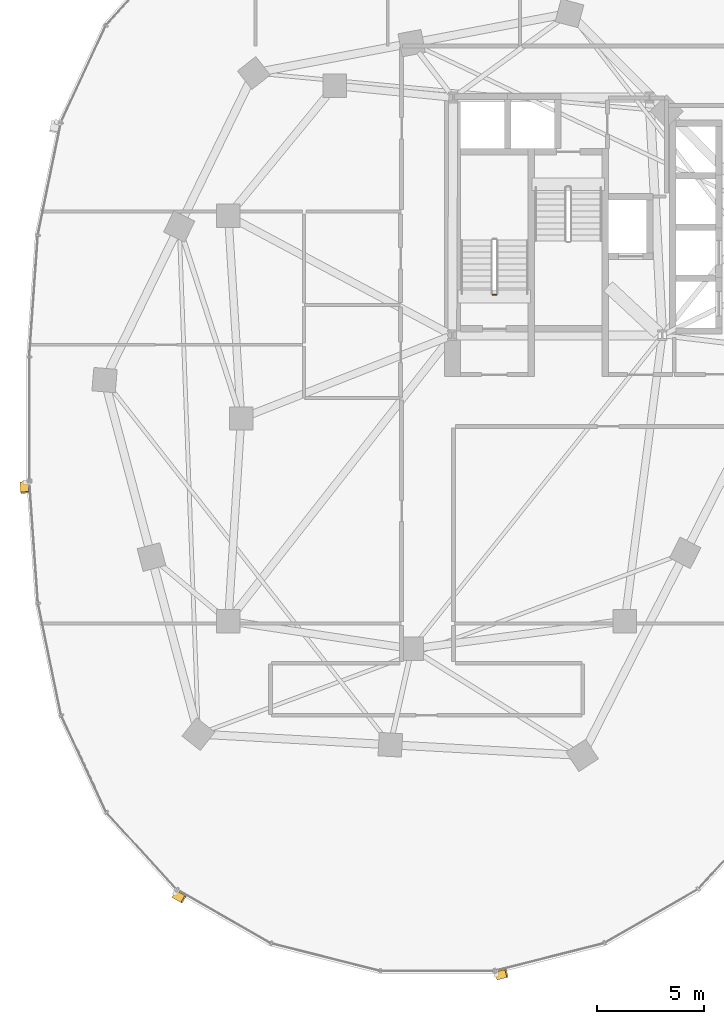
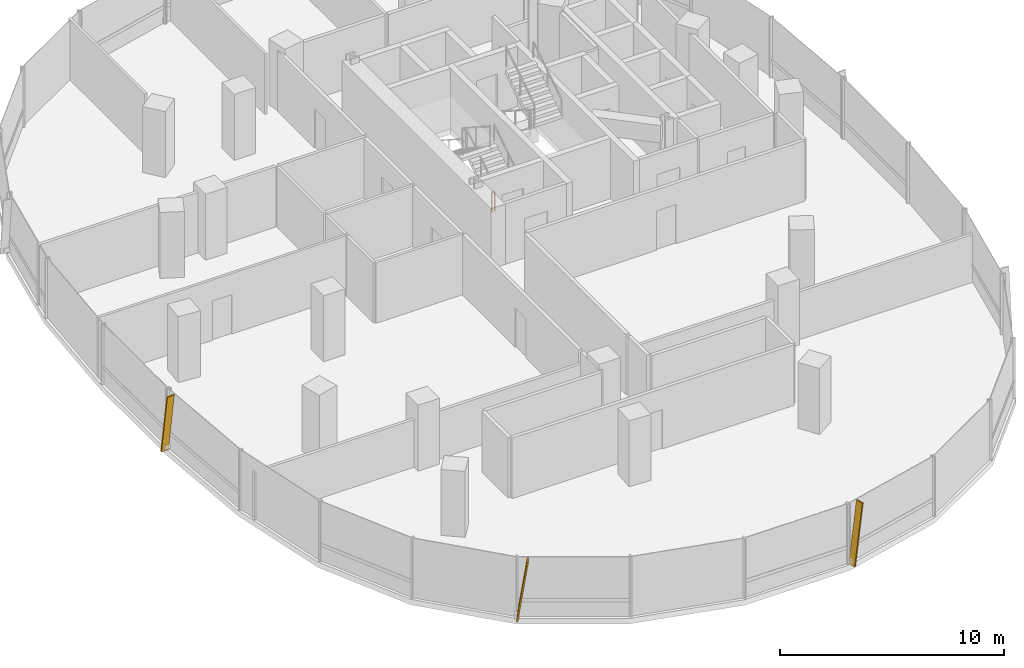
# One storey, part 17 of 21: 3 shading devices, 1 railing.
"""IFC4 building model written with IfcOpenShell, lengths in metres."""

from ifc_helpers import new_model, si_unit, direction, frame, origin, origin_2d, place, context, subcontext, project, spatial, rectangle, extrude, material, material_profile, profile_set, type_object, element, save


model = new_model("IFC4")

# Units and contexts
model_context = context("Model", 3, precision=1e-05, world=origin(), true_north=direction((0.0, 1.0)))
body_context = subcontext(model_context, "Body", "Model", "MODEL_VIEW")
ifc_project = project(units=[si_unit("LENGTHUNIT", "METRE"), si_unit("AREAUNIT", "SQUARE_METRE"), si_unit("VOLUMEUNIT", "CUBIC_METRE"), si_unit("PLANEANGLEUNIT", "RADIAN"), si_unit("MASSUNIT", "GRAM", prefix="KILO"), si_unit("THERMODYNAMICTEMPERATUREUNIT", "KELVIN"), si_unit("POWERUNIT", "WATT")], contexts=[model_context])

# Site, building, storey
site_placement = place(None, origin())
site = spatial("IfcSite", under=ifc_project, at=site_placement, CompositionType="ELEMENT")
building_placement = place(site_placement, origin())
building = spatial("IfcBuilding", under=site, at=building_placement, Name="Cundina Bronze Exchange", CompositionType="ELEMENT")
storey_placement = place(building_placement, frame((0.0, 0.0, 96.199951171875)))
storey = spatial("IfcBuildingStorey", under=building, at=storey_placement, Name="L24", CompositionType="ELEMENT", Elevation=96.199951171875)

# Railing
ifc_material_1 = material(Name="Steel ASTM A36 Painted", Category="steel")
railing_type = type_object("IfcRailingType", Name="RLG-STG-1100", PredefinedType="GUARDRAIL", material=ifc_material_1)
railing_placement = place(storey_placement, frame((-29.239990234375, 5.800048828125, 0.0)))
element("IfcRailing", 1, at=railing_placement, inside=storey, type_object=railing_type, Name="L24 ST-W1 stair guard 4", PredefinedType="GUARDRAIL", context=body_context, shape_type="SweptSolid", body=[
    extrude(rectangle(XDim=0.048095703125, YDim=0.048095703125, at=origin_2d()), frame((0.0, 0.0, 1.076171875), z_axis=(-1.0, 0.0, 0.0), x_axis=(0.0, -1.0, 0.0)), (0.0, 0.0, 1.0), 0.159912109375),
    extrude(rectangle(XDim=0.0419921875, YDim=0.0419921875, at=origin_2d()), origin(), (0.0, 0.0, 1.0), 1.052001953125),
    extrude(rectangle(XDim=0.0419921875, YDim=0.0419921875, at=origin_2d()), frame((-0.159912109375, 0.0, 0.0)), (0.0, 0.0, 1.0), 1.052001953125),
])

# Shading devices
ifc_material_2 = material(Name="Anodised Bronze Aluminium 6063-T6", Category="aluminium")
ifc_material_profile = material_profile(ifc_material_2, rectangle(XDim=0.070068359375, YDim=0.3798828125, at=origin_2d()), Name="FIN70X380", Category="aluminium")
ifc_profile_set = profile_set([ifc_material_profile], Name="Anodised Bronze Aluminium 6063-T6")
shading_device_type = type_object("IfcShadingDeviceType", Name="SHD-FIN-BRZ380", PredefinedType="USERDEFINED", material=ifc_profile_set)
for number, where, z_axis, x_axis, name in (
    (2, (-51.3740234375, -2.993896484375, 0.02001953125), (0.010224545828, -0.145292278041, 0.989335945271), (-0.069450050635, 0.986895284755, 0.145651595925), "L24 Diagonal Bronze Solar Fin 1"),
    (3, (-44.314208984375, -22.314208984375, 0.02001953125), (0.126324692219, -0.072534823274, 0.989333498649), (-0.857958278167, 0.492634108109, 0.145668213594), "L24 Diagonal Bronze Solar Fin 5"),
    (4, (-29.212646484375, -26.138427734375, 0.02001953125), (0.141217047268, 0.035711761166, 0.989334329575), (-0.95914051701, -0.242552848478, 0.145662570088), "L24 Diagonal Bronze Solar Fin 1"),
):
    element("IfcShadingDevice", number, at=place(storey_placement, frame(where, z_axis=z_axis, x_axis=x_axis)), inside=storey, type_object=shading_device_type, Name=name, ObjectType="FIN", PredefinedType="USERDEFINED", context=body_context, shape_type="SweptSolid", body=[
        extrude(rectangle(XDim=0.070068359375, YDim=0.3798828125, at=origin_2d()), origin(), (0.0, 0.0, 1.0), 3.295166015625),
    ])

save(model, "model.ifc")
